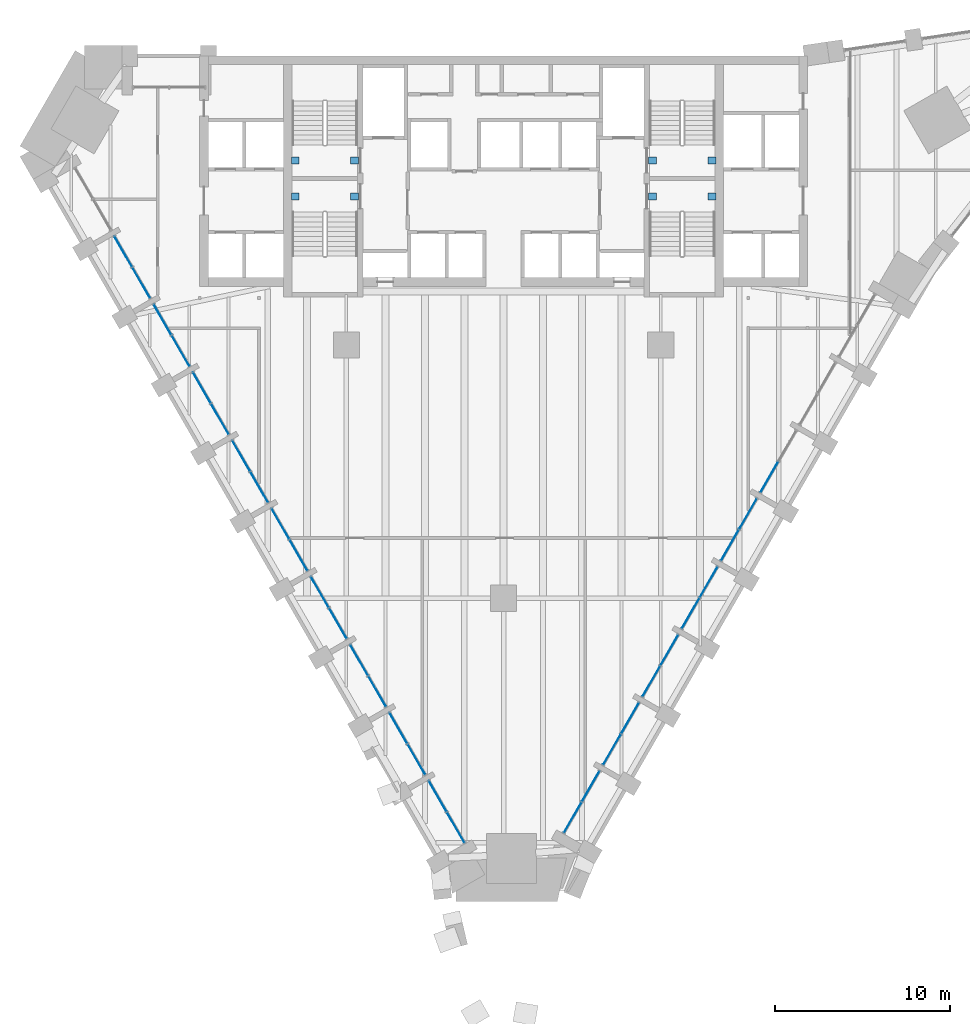
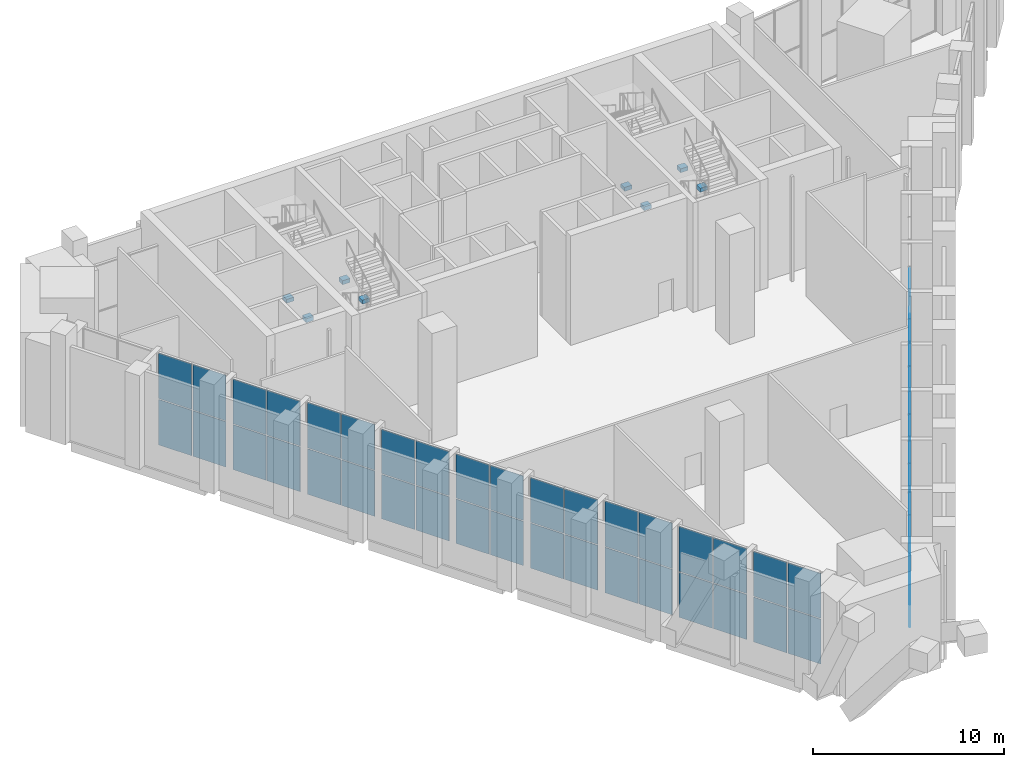
# One storey, part 9 of 17: 58 plates, 8 beams, 15 elements without a shape of their own.
"""IFC4 building model written with IfcOpenShell, lengths in metres."""

from ifc_helpers import new_model, si_unit, direction, frame, origin, origin_2d, place, context, subcontext, project, spatial, rectangle, extrude, material, layer, layer_set, material_profile, profile_set, type_object, element, aggregate, save


model = new_model("IFC4")

# Units and contexts
model_context = context("Model", 3, precision=1e-05, world=origin(), true_north=direction((0.0, 1.0)))
body_context = subcontext(model_context, "Body", "Model", "MODEL_VIEW")
ifc_project = project(units=[si_unit("LENGTHUNIT", "METRE"), si_unit("AREAUNIT", "SQUARE_METRE"), si_unit("VOLUMEUNIT", "CUBIC_METRE"), si_unit("PLANEANGLEUNIT", "RADIAN"), si_unit("MASSUNIT", "GRAM", prefix="KILO")], contexts=[model_context])

# Site, building, storey
site_placement = place(None, origin())
site = spatial("IfcSite", under=ifc_project, at=site_placement, CompositionType="ELEMENT")
building_placement = place(site_placement, origin())
building = spatial("IfcBuilding", under=site, at=building_placement, Name="Calabash Gate Tower", CompositionType="ELEMENT")
storey_placement = place(building_placement, frame((0.0, 0.0, 132.60009765625)))
storey = spatial("IfcBuildingStorey", under=building, at=storey_placement, Name="L31", CompositionType="ELEMENT", Elevation=132.60009765625)

# Beams
ifc_material_1 = material(Name="Concrete C60/75", Category="concrete")
ifc_material_profile = material_profile(ifc_material_1, rectangle(XDim=0.39990234375, YDim=0.25, at=origin_2d()))
ifc_profile_set = profile_set([ifc_material_profile], Name="Concrete C60/75")
beam_type = type_object("IfcBeamType", Name="Landing corbel RC 400x250 Concrete C60/75", PredefinedType="BEAM", material=ifc_profile_set)
for number, where, z_axis, x_axis, name in (
    (1, (-12.14990234375, 13.052978515625, 3.173828125), (1.0, 0.0, 0.0), (0.0, 1.0, 0.0), "Landing corbel ST1-L31/L2 west"),
    (2, (-8.300048828125, 13.052978515625, 3.173828125), (-1.0, 0.0, 0.0), (0.0, -1.0, 0.0), "Landing corbel ST1-L31/L2 east"),
    (3, (-12.14990234375, 11.0029296875, 3.173828125), (1.0, 0.0, 0.0), (0.0, 1.0, 0.0), "Landing corbel ST2-L31/L2 west"),
    (4, (-8.300048828125, 11.0029296875, 3.173828125), (-1.0, 0.0, 0.0), (0.0, -1.0, 0.0), "Landing corbel ST2-L31/L2 east"),
    (5, (8.300048828125, 13.052978515625, 3.173828125), (1.0, 0.0, 0.0), (0.0, 1.0, 0.0), "Landing corbel ST3-L31/L2 west"),
    (6, (12.14990234375, 13.052978515625, 3.173828125), (-1.0, 0.0, 0.0), (0.0, -1.0, 0.0), "Landing corbel ST3-L31/L2 east"),
    (7, (8.300048828125, 11.0029296875, 3.173828125), (1.0, 0.0, 0.0), (0.0, 1.0, 0.0), "Landing corbel ST4-L31/L2 west"),
    (8, (12.14990234375, 11.0029296875, 3.173828125), (-1.0, 0.0, 0.0), (0.0, -1.0, 0.0), "Landing corbel ST4-L31/L2 east"),
):
    element("IfcBeam", number, at=place(storey_placement, frame(where, z_axis=z_axis, x_axis=x_axis)), inside=storey, type_object=beam_type, Name=name, PredefinedType="BEAM", context=body_context, shape_type="SweptSolid", body=[
        extrude(rectangle(XDim=0.39990234375, YDim=0.25, at=origin_2d()), origin(), (0.0, 0.0, 1.0), 0.449951171875),
    ])

# Curtain wall, plates
ifc_material_2 = material(Name="Anodised aluminium frame, bronze finish, clear laminated low-emissivity glazing", Category="aluminium")
curtain_wall_type = type_object("IfcCurtainWallType", Name="Curtain wall CWS sky lobby wall", PredefinedType="NOTDEFINED", material=ifc_material_2)
curtain_wall_1_placement = place(storey_placement, origin())
curtain_wall_1 = element("IfcCurtainWall", 9, at=curtain_wall_1_placement, inside=storey, type_object=curtain_wall_type, Name="Curtain wall CWS L31 SW0.2", PredefinedType="NOTDEFINED")
ifc_material_3 = material(Name="Clear laminated low-emissivity glazing", Category="glass")
ifc_layer = layer(ifc_material_3, 0.035888671875)
ifc_layer_set = layer_set([ifc_layer], Name="Glass panel CWS 36")
plate_type = type_object("IfcPlateType", Name="Glass panel CWS 36", PredefinedType="CURTAIN_PANEL", material=ifc_layer_set)
plate_1_placement = place(storey_placement, frame((-21.771240234375, 7.843994140625, 0.06494140625), z_axis=(0.0, 0.0, 1.0), x_axis=(0.499999968652, -0.866025421884, 0.0)))
plate_1 = element("IfcPlate", 10, at=plate_1_placement, type_object=plate_type, Name="CWS panel 1.1", PredefinedType="CURTAIN_PANEL", context=body_context, shape_type="SweptSolid", body=[
    extrude(rectangle(XDim=2.00244140625, YDim=0.035888671875, at=origin_2d()), origin(), (0.0, 0.0, 1.0), 2.902587890625),
])
plate_2_placement = place(storey_placement, frame((-21.771240234375, 7.843994140625, 3.0322265625), z_axis=(0.0, 0.0, 1.0), x_axis=(0.499999968652, -0.866025421884, 0.0)))
plate_2 = element("IfcPlate", 11, at=plate_2_placement, type_object=plate_type, Name="CWS panel 1.2", PredefinedType="CURTAIN_PANEL", context=body_context, shape_type="SweptSolid", body=[
    extrude(rectangle(XDim=2.00244140625, YDim=0.035888671875, at=origin_2d()), origin(), (0.0, 0.0, 1.0), 2.902587890625),
])
plate_3_placement = place(storey_placement, frame((-20.737548828125, 6.053466796875, 0.06494140625), z_axis=(0.0, 0.0, 1.0), x_axis=(0.499999968652, -0.866025421884, 0.0)))
plate_3 = element("IfcPlate", 12, at=plate_3_placement, type_object=plate_type, Name="CWS panel 2.1", PredefinedType="CURTAIN_PANEL", context=body_context, shape_type="SweptSolid", body=[
    extrude(rectangle(XDim=2.00244140625, YDim=0.035888671875, at=origin_2d()), origin(), (0.0, 0.0, 1.0), 2.902587890625),
])
plate_4_placement = place(storey_placement, frame((-20.737548828125, 6.053466796875, 3.0322265625), z_axis=(0.0, 0.0, 1.0), x_axis=(0.499999968652, -0.866025421884, 0.0)))
plate_4 = element("IfcPlate", 13, at=plate_4_placement, type_object=plate_type, Name="CWS panel 2.2", PredefinedType="CURTAIN_PANEL", context=body_context, shape_type="SweptSolid", body=[
    extrude(rectangle(XDim=2.00244140625, YDim=0.035888671875, at=origin_2d()), origin(), (0.0, 0.0, 1.0), 2.902587890625),
])
aggregate(curtain_wall_1, [plate_1, plate_2, plate_3, plate_4])

curtain_wall_2_placement = place(storey_placement, origin())
curtain_wall_2 = element("IfcCurtainWall", 14, at=curtain_wall_2_placement, inside=storey, type_object=curtain_wall_type, Name="Curtain wall CWS L31 SW0.3", PredefinedType="NOTDEFINED")
plate_5_placement = place(storey_placement, frame((-19.521240234375, 3.94677734375, 0.06494140625), z_axis=(0.0, 0.0, 1.0), x_axis=(0.499999968652, -0.866025421884, 0.0)))
plate_5 = element("IfcPlate", 15, at=plate_5_placement, type_object=plate_type, Name="CWS panel 1.1", PredefinedType="CURTAIN_PANEL", context=body_context, shape_type="SweptSolid", body=[
    extrude(rectangle(XDim=2.00244140625, YDim=0.035888671875, at=origin_2d()), origin(), (0.0, 0.0, 1.0), 2.862548828125),
])
plate_6_placement = place(storey_placement, frame((-19.521240234375, 3.94677734375, 2.99267578125), z_axis=(0.0, 0.0, 1.0), x_axis=(0.499999968652, -0.866025421884, 0.0)))
plate_6 = element("IfcPlate", 16, at=plate_6_placement, type_object=plate_type, Name="CWS panel 1.2", PredefinedType="CURTAIN_PANEL", context=body_context, shape_type="SweptSolid", body=[
    extrude(rectangle(XDim=2.00244140625, YDim=0.035888671875, at=origin_2d()), origin(), (0.0, 0.0, 1.0), 2.862548828125),
])
plate_7_placement = place(storey_placement, frame((-18.487548828125, 2.156494140625, 0.06494140625), z_axis=(0.0, 0.0, 1.0), x_axis=(0.499999968652, -0.866025421884, 0.0)))
plate_7 = element("IfcPlate", 17, at=plate_7_placement, type_object=plate_type, Name="CWS panel 2.1", PredefinedType="CURTAIN_PANEL", context=body_context, shape_type="SweptSolid", body=[
    extrude(rectangle(XDim=2.00244140625, YDim=0.035888671875, at=origin_2d()), origin(), (0.0, 0.0, 1.0), 2.862548828125),
])
plate_8_placement = place(storey_placement, frame((-18.487548828125, 2.156494140625, 2.99267578125), z_axis=(0.0, 0.0, 1.0), x_axis=(0.499999968652, -0.866025421884, 0.0)))
plate_8 = element("IfcPlate", 18, at=plate_8_placement, type_object=plate_type, Name="CWS panel 2.2", PredefinedType="CURTAIN_PANEL", context=body_context, shape_type="SweptSolid", body=[
    extrude(rectangle(XDim=2.00244140625, YDim=0.035888671875, at=origin_2d()), origin(), (0.0, 0.0, 1.0), 2.862548828125),
])
aggregate(curtain_wall_2, [plate_5, plate_6, plate_7, plate_8])

curtain_wall_3_placement = place(storey_placement, origin())
curtain_wall_3 = element("IfcCurtainWall", 19, at=curtain_wall_3_placement, inside=storey, type_object=curtain_wall_type, Name="Curtain wall CWS L31 SW0.4", PredefinedType="NOTDEFINED")
plate_9_placement = place(storey_placement, frame((-17.271240234375, 0.0498046875, 0.06494140625), z_axis=(0.0, 0.0, 1.0), x_axis=(0.500000071751, -0.866025362359, 0.0)))
plate_9 = element("IfcPlate", 20, at=plate_9_placement, type_object=plate_type, Name="CWS panel 1.1", PredefinedType="CURTAIN_PANEL", context=body_context, shape_type="SweptSolid", body=[
    extrude(rectangle(XDim=2.00244140625, YDim=0.035888671875, at=origin_2d()), origin(), (0.0, 0.0, 1.0), 2.902587890625),
])
plate_10_placement = place(storey_placement, frame((-17.271240234375, 0.0498046875, 3.0322265625), z_axis=(0.0, 0.0, 1.0), x_axis=(0.500000071751, -0.866025362359, 0.0)))
plate_10 = element("IfcPlate", 21, at=plate_10_placement, type_object=plate_type, Name="CWS panel 1.2", PredefinedType="CURTAIN_PANEL", context=body_context, shape_type="SweptSolid", body=[
    extrude(rectangle(XDim=2.00244140625, YDim=0.035888671875, at=origin_2d()), origin(), (0.0, 0.0, 1.0), 2.902587890625),
])
plate_11_placement = place(storey_placement, frame((-16.237548828125, -1.74072265625, 0.06494140625), z_axis=(0.0, 0.0, 1.0), x_axis=(0.500000071751, -0.866025362359, 0.0)))
plate_11 = element("IfcPlate", 22, at=plate_11_placement, type_object=plate_type, Name="CWS panel 2.1", PredefinedType="CURTAIN_PANEL", context=body_context, shape_type="SweptSolid", body=[
    extrude(rectangle(XDim=2.00244140625, YDim=0.035888671875, at=origin_2d()), origin(), (0.0, 0.0, 1.0), 2.902587890625),
])
plate_12_placement = place(storey_placement, frame((-16.237548828125, -1.74072265625, 3.0322265625), z_axis=(0.0, 0.0, 1.0), x_axis=(0.500000071751, -0.866025362359, 0.0)))
plate_12 = element("IfcPlate", 23, at=plate_12_placement, type_object=plate_type, Name="CWS panel 2.2", PredefinedType="CURTAIN_PANEL", context=body_context, shape_type="SweptSolid", body=[
    extrude(rectangle(XDim=2.00244140625, YDim=0.035888671875, at=origin_2d()), origin(), (0.0, 0.0, 1.0), 2.902587890625),
])
aggregate(curtain_wall_3, [plate_9, plate_10, plate_11, plate_12])

curtain_wall_4_placement = place(storey_placement, origin())
curtain_wall_4 = element("IfcCurtainWall", 24, at=curtain_wall_4_placement, inside=storey, type_object=curtain_wall_type, Name="Curtain wall CWS L31 SW0.5", PredefinedType="NOTDEFINED")
plate_13_placement = place(storey_placement, frame((-15.021240234375, -3.847412109375, 0.06494140625), z_axis=(0.0, 0.0, 1.0), x_axis=(0.499999968652, -0.866025421884, 0.0)))
plate_13 = element("IfcPlate", 25, at=plate_13_placement, type_object=plate_type, Name="CWS panel 1.1", PredefinedType="CURTAIN_PANEL", context=body_context, shape_type="SweptSolid", body=[
    extrude(rectangle(XDim=2.00244140625, YDim=0.035888671875, at=origin_2d()), origin(), (0.0, 0.0, 1.0), 2.82958984375),
])
plate_14_placement = place(storey_placement, frame((-15.021240234375, -3.847412109375, 2.95947265625), z_axis=(0.0, 0.0, 1.0), x_axis=(0.499999968652, -0.866025421884, 0.0)))
plate_14 = element("IfcPlate", 26, at=plate_14_placement, type_object=plate_type, Name="CWS panel 1.2", PredefinedType="CURTAIN_PANEL", context=body_context, shape_type="SweptSolid", body=[
    extrude(rectangle(XDim=2.00244140625, YDim=0.035888671875, at=origin_2d()), origin(), (0.0, 0.0, 1.0), 2.82958984375),
])
plate_15_placement = place(storey_placement, frame((-13.987548828125, -5.637939453125, 0.06494140625), z_axis=(0.0, 0.0, 1.0), x_axis=(0.499999968652, -0.866025421884, 0.0)))
plate_15 = element("IfcPlate", 27, at=plate_15_placement, type_object=plate_type, Name="CWS panel 2.1", PredefinedType="CURTAIN_PANEL", context=body_context, shape_type="SweptSolid", body=[
    extrude(rectangle(XDim=2.00244140625, YDim=0.035888671875, at=origin_2d()), origin(), (0.0, 0.0, 1.0), 2.82958984375),
])
plate_16_placement = place(storey_placement, frame((-13.987548828125, -5.637939453125, 2.95947265625), z_axis=(0.0, 0.0, 1.0), x_axis=(0.499999968652, -0.866025421884, 0.0)))
plate_16 = element("IfcPlate", 28, at=plate_16_placement, type_object=plate_type, Name="CWS panel 2.2", PredefinedType="CURTAIN_PANEL", context=body_context, shape_type="SweptSolid", body=[
    extrude(rectangle(XDim=2.00244140625, YDim=0.035888671875, at=origin_2d()), origin(), (0.0, 0.0, 1.0), 2.82958984375),
])
aggregate(curtain_wall_4, [plate_13, plate_14, plate_15, plate_16])

curtain_wall_5_placement = place(storey_placement, origin())
curtain_wall_5 = element("IfcCurtainWall", 29, at=curtain_wall_5_placement, inside=storey, type_object=curtain_wall_type, Name="Curtain wall CWS L31 SW0.6", PredefinedType="NOTDEFINED")
plate_17_placement = place(storey_placement, frame((-12.771240234375, -7.744384765625, 0.06494140625), z_axis=(0.0, 0.0, 1.0), x_axis=(0.499999968652, -0.866025421884, 0.0)))
plate_17 = element("IfcPlate", 30, at=plate_17_placement, type_object=plate_type, Name="CWS panel 1.1", PredefinedType="CURTAIN_PANEL", context=body_context, shape_type="SweptSolid", body=[
    extrude(rectangle(XDim=2.00244140625, YDim=0.035888671875, at=origin_2d()), origin(), (0.0, 0.0, 1.0), 2.82958984375),
])
plate_18_placement = place(storey_placement, frame((-12.771240234375, -7.744384765625, 2.95947265625), z_axis=(0.0, 0.0, 1.0), x_axis=(0.499999968652, -0.866025421884, 0.0)))
plate_18 = element("IfcPlate", 31, at=plate_18_placement, type_object=plate_type, Name="CWS panel 1.2", PredefinedType="CURTAIN_PANEL", context=body_context, shape_type="SweptSolid", body=[
    extrude(rectangle(XDim=2.00244140625, YDim=0.035888671875, at=origin_2d()), origin(), (0.0, 0.0, 1.0), 2.82958984375),
])
plate_19_placement = place(storey_placement, frame((-11.737548828125, -9.534912109375, 0.06494140625), z_axis=(0.0, 0.0, 1.0), x_axis=(0.499999968652, -0.866025421884, 0.0)))
plate_19 = element("IfcPlate", 32, at=plate_19_placement, type_object=plate_type, Name="CWS panel 2.1", PredefinedType="CURTAIN_PANEL", context=body_context, shape_type="SweptSolid", body=[
    extrude(rectangle(XDim=2.00244140625, YDim=0.035888671875, at=origin_2d()), origin(), (0.0, 0.0, 1.0), 2.82958984375),
])
plate_20_placement = place(storey_placement, frame((-11.737548828125, -9.534912109375, 2.95947265625), z_axis=(0.0, 0.0, 1.0), x_axis=(0.499999968652, -0.866025421884, 0.0)))
plate_20 = element("IfcPlate", 33, at=plate_20_placement, type_object=plate_type, Name="CWS panel 2.2", PredefinedType="CURTAIN_PANEL", context=body_context, shape_type="SweptSolid", body=[
    extrude(rectangle(XDim=2.00244140625, YDim=0.035888671875, at=origin_2d()), origin(), (0.0, 0.0, 1.0), 2.82958984375),
])
aggregate(curtain_wall_5, [plate_17, plate_18, plate_19, plate_20])

curtain_wall_6_placement = place(storey_placement, origin())
curtain_wall_6 = element("IfcCurtainWall", 34, at=curtain_wall_6_placement, inside=storey, type_object=curtain_wall_type, Name="Curtain wall CWS L31 SW0.7", PredefinedType="NOTDEFINED")
plate_21_placement = place(storey_placement, frame((-10.521240234375, -11.6416015625, 0.06494140625), z_axis=(0.0, 0.0, 1.0), x_axis=(0.500000071751, -0.866025362359, 0.0)))
plate_21 = element("IfcPlate", 35, at=plate_21_placement, type_object=plate_type, Name="CWS panel 1.1", PredefinedType="CURTAIN_PANEL", context=body_context, shape_type="SweptSolid", body=[
    extrude(rectangle(XDim=2.00244140625, YDim=0.035888671875, at=origin_2d()), origin(), (0.0, 0.0, 1.0), 2.862548828125),
])
plate_22_placement = place(storey_placement, frame((-10.521240234375, -11.6416015625, 2.99267578125), z_axis=(0.0, 0.0, 1.0), x_axis=(0.500000071751, -0.866025362359, 0.0)))
plate_22 = element("IfcPlate", 36, at=plate_22_placement, type_object=plate_type, Name="CWS panel 1.2", PredefinedType="CURTAIN_PANEL", context=body_context, shape_type="SweptSolid", body=[
    extrude(rectangle(XDim=2.00244140625, YDim=0.035888671875, at=origin_2d()), origin(), (0.0, 0.0, 1.0), 2.862548828125),
])
plate_23_placement = place(storey_placement, frame((-9.487548828125, -13.43212890625, 0.06494140625), z_axis=(0.0, 0.0, 1.0), x_axis=(0.500000071751, -0.866025362359, 0.0)))
plate_23 = element("IfcPlate", 37, at=plate_23_placement, type_object=plate_type, Name="CWS panel 2.1", PredefinedType="CURTAIN_PANEL", context=body_context, shape_type="SweptSolid", body=[
    extrude(rectangle(XDim=2.00244140625, YDim=0.035888671875, at=origin_2d()), origin(), (0.0, 0.0, 1.0), 2.862548828125),
])
plate_24_placement = place(storey_placement, frame((-9.487548828125, -13.43212890625, 2.99267578125), z_axis=(0.0, 0.0, 1.0), x_axis=(0.500000071751, -0.866025362359, 0.0)))
plate_24 = element("IfcPlate", 38, at=plate_24_placement, type_object=plate_type, Name="CWS panel 2.2", PredefinedType="CURTAIN_PANEL", context=body_context, shape_type="SweptSolid", body=[
    extrude(rectangle(XDim=2.00244140625, YDim=0.035888671875, at=origin_2d()), origin(), (0.0, 0.0, 1.0), 2.862548828125),
])
aggregate(curtain_wall_6, [plate_21, plate_22, plate_23, plate_24])

curtain_wall_7_placement = place(storey_placement, origin())
curtain_wall_7 = element("IfcCurtainWall", 39, at=curtain_wall_7_placement, inside=storey, type_object=curtain_wall_type, Name="Curtain wall CWS L31 SW0.8", PredefinedType="NOTDEFINED")
plate_25_placement = place(storey_placement, frame((-8.271240234375, -15.53857421875, 0.06494140625), z_axis=(0.0, 0.0, 1.0), x_axis=(0.499999968652, -0.866025421884, 0.0)))
plate_25 = element("IfcPlate", 40, at=plate_25_placement, type_object=plate_type, Name="CWS panel 1.1", PredefinedType="CURTAIN_PANEL", context=body_context, shape_type="SweptSolid", body=[
    extrude(rectangle(XDim=2.00244140625, YDim=0.035888671875, at=origin_2d()), origin(), (0.0, 0.0, 1.0), 2.902587890625),
])
plate_26_placement = place(storey_placement, frame((-8.271240234375, -15.53857421875, 3.0322265625), z_axis=(0.0, 0.0, 1.0), x_axis=(0.499999968652, -0.866025421884, 0.0)))
plate_26 = element("IfcPlate", 41, at=plate_26_placement, type_object=plate_type, Name="CWS panel 1.2", PredefinedType="CURTAIN_PANEL", context=body_context, shape_type="SweptSolid", body=[
    extrude(rectangle(XDim=2.00244140625, YDim=0.035888671875, at=origin_2d()), origin(), (0.0, 0.0, 1.0), 2.902587890625),
])
plate_27_placement = place(storey_placement, frame((-7.237548828125, -17.3291015625, 0.06494140625), z_axis=(0.0, 0.0, 1.0), x_axis=(0.499999968652, -0.866025421884, 0.0)))
plate_27 = element("IfcPlate", 42, at=plate_27_placement, type_object=plate_type, Name="CWS panel 2.1", PredefinedType="CURTAIN_PANEL", context=body_context, shape_type="SweptSolid", body=[
    extrude(rectangle(XDim=2.00244140625, YDim=0.035888671875, at=origin_2d()), origin(), (0.0, 0.0, 1.0), 2.902587890625),
])
plate_28_placement = place(storey_placement, frame((-7.237548828125, -17.3291015625, 3.0322265625), z_axis=(0.0, 0.0, 1.0), x_axis=(0.499999968652, -0.866025421884, 0.0)))
plate_28 = element("IfcPlate", 43, at=plate_28_placement, type_object=plate_type, Name="CWS panel 2.2", PredefinedType="CURTAIN_PANEL", context=body_context, shape_type="SweptSolid", body=[
    extrude(rectangle(XDim=2.00244140625, YDim=0.035888671875, at=origin_2d()), origin(), (0.0, 0.0, 1.0), 2.902587890625),
])
aggregate(curtain_wall_7, [plate_25, plate_26, plate_27, plate_28])

curtain_wall_8_placement = place(storey_placement, origin())
curtain_wall_8 = element("IfcCurtainWall", 44, at=curtain_wall_8_placement, inside=storey, type_object=curtain_wall_type, Name="Curtain wall CWS L31 SW0.9", PredefinedType="NOTDEFINED")
plate_29_placement = place(storey_placement, frame((-6.021240234375, -19.435791015625, 0.06494140625), z_axis=(0.0, 0.0, 1.0), x_axis=(0.499999968652, -0.866025421884, 0.0)))
plate_29 = element("IfcPlate", 45, at=plate_29_placement, type_object=plate_type, Name="CWS panel 1.1", PredefinedType="CURTAIN_PANEL", context=body_context, shape_type="SweptSolid", body=[
    extrude(rectangle(XDim=2.00244140625, YDim=0.035888671875, at=origin_2d()), origin(), (0.0, 0.0, 1.0), 2.874267578125),
])
plate_30_placement = place(storey_placement, frame((-6.021240234375, -19.435791015625, 3.00439453125), z_axis=(0.0, 0.0, 1.0), x_axis=(0.499999968652, -0.866025421884, 0.0)))
plate_30 = element("IfcPlate", 46, at=plate_30_placement, type_object=plate_type, Name="CWS panel 1.2", PredefinedType="CURTAIN_PANEL", context=body_context, shape_type="SweptSolid", body=[
    extrude(rectangle(XDim=2.00244140625, YDim=0.035888671875, at=origin_2d()), origin(), (0.0, 0.0, 1.0), 2.874267578125),
])
plate_31_placement = place(storey_placement, frame((-4.987548828125, -21.226318359375, 0.06494140625), z_axis=(0.0, 0.0, 1.0), x_axis=(0.499999968652, -0.866025421884, 0.0)))
plate_31 = element("IfcPlate", 47, at=plate_31_placement, type_object=plate_type, Name="CWS panel 2.1", PredefinedType="CURTAIN_PANEL", context=body_context, shape_type="SweptSolid", body=[
    extrude(rectangle(XDim=2.00244140625, YDim=0.035888671875, at=origin_2d()), origin(), (0.0, 0.0, 1.0), 2.874267578125),
])
plate_32_placement = place(storey_placement, frame((-4.987548828125, -21.226318359375, 3.00439453125), z_axis=(0.0, 0.0, 1.0), x_axis=(0.499999968652, -0.866025421884, 0.0)))
plate_32 = element("IfcPlate", 48, at=plate_32_placement, type_object=plate_type, Name="CWS panel 2.2", PredefinedType="CURTAIN_PANEL", context=body_context, shape_type="SweptSolid", body=[
    extrude(rectangle(XDim=2.00244140625, YDim=0.035888671875, at=origin_2d()), origin(), (0.0, 0.0, 1.0), 2.874267578125),
])
aggregate(curtain_wall_8, [plate_29, plate_30, plate_31, plate_32])

curtain_wall_9_placement = place(storey_placement, origin())
curtain_wall_9 = element("IfcCurtainWall", 49, at=curtain_wall_9_placement, inside=storey, type_object=curtain_wall_type, Name="Curtain wall CWS L31 SW0.10", PredefinedType="NOTDEFINED")
plate_33_placement = place(storey_placement, frame((-3.771240234375, -23.3330078125, 0.06494140625), z_axis=(0.0, 0.0, 1.0), x_axis=(0.500000071751, -0.866025362359, 0.0)))
plate_33 = element("IfcPlate", 50, at=plate_33_placement, type_object=plate_type, Name="CWS panel 1.1", PredefinedType="CURTAIN_PANEL", context=body_context, shape_type="SweptSolid", body=[
    extrude(rectangle(XDim=2.00244140625, YDim=0.035888671875, at=origin_2d()), origin(), (0.0, 0.0, 1.0), 2.862548828125),
])
plate_34_placement = place(storey_placement, frame((-3.771240234375, -23.3330078125, 2.99267578125), z_axis=(0.0, 0.0, 1.0), x_axis=(0.500000071751, -0.866025362359, 0.0)))
plate_34 = element("IfcPlate", 51, at=plate_34_placement, type_object=plate_type, Name="CWS panel 1.2", PredefinedType="CURTAIN_PANEL", context=body_context, shape_type="SweptSolid", body=[
    extrude(rectangle(XDim=2.00244140625, YDim=0.035888671875, at=origin_2d()), origin(), (0.0, 0.0, 1.0), 2.862548828125),
])
plate_35_placement = place(storey_placement, frame((-2.737548828125, -25.12353515625, 0.06494140625), z_axis=(0.0, 0.0, 1.0), x_axis=(0.500000071751, -0.866025362359, 0.0)))
plate_35 = element("IfcPlate", 52, at=plate_35_placement, type_object=plate_type, Name="CWS panel 2.1", PredefinedType="CURTAIN_PANEL", context=body_context, shape_type="SweptSolid", body=[
    extrude(rectangle(XDim=2.00244140625, YDim=0.035888671875, at=origin_2d()), origin(), (0.0, 0.0, 1.0), 2.862548828125),
])
plate_36_placement = place(storey_placement, frame((-2.737548828125, -25.12353515625, 2.99267578125), z_axis=(0.0, 0.0, 1.0), x_axis=(0.500000071751, -0.866025362359, 0.0)))
plate_36 = element("IfcPlate", 53, at=plate_36_placement, type_object=plate_type, Name="CWS panel 2.2", PredefinedType="CURTAIN_PANEL", context=body_context, shape_type="SweptSolid", body=[
    extrude(rectangle(XDim=2.00244140625, YDim=0.035888671875, at=origin_2d()), origin(), (0.0, 0.0, 1.0), 2.862548828125),
])
aggregate(curtain_wall_9, [plate_33, plate_34, plate_35, plate_36])

curtain_wall_10_placement = place(storey_placement, origin())
curtain_wall_10 = element("IfcCurtainWall", 54, at=curtain_wall_10_placement, inside=storey, type_object=curtain_wall_type, Name="Curtain wall CWS L31 SE2.1", PredefinedType="NOTDEFINED")
plate_37_placement = place(storey_placement, frame((3.955810546875, -24.55322265625, 0.06494140625), z_axis=(0.0, 0.0, 1.0), x_axis=(0.499999968652, 0.866025421884, 0.0)))
plate_37 = element("IfcPlate", 55, at=plate_37_placement, type_object=plate_type, Name="CWS panel 1.1", PredefinedType="CURTAIN_PANEL", context=body_context, shape_type="SweptSolid", body=[
    extrude(rectangle(XDim=2.00244140625, YDim=0.035888671875, at=origin_2d()), origin(), (0.0, 0.0, 1.0), 2.82958984375),
])
plate_38_placement = place(storey_placement, frame((3.955810546875, -24.55322265625, 2.95947265625), z_axis=(0.0, 0.0, 1.0), x_axis=(0.499999968652, 0.866025421884, 0.0)))
plate_38 = element("IfcPlate", 56, at=plate_38_placement, type_object=plate_type, Name="CWS panel 1.2", PredefinedType="CURTAIN_PANEL", context=body_context, shape_type="SweptSolid", body=[
    extrude(rectangle(XDim=2.00244140625, YDim=0.035888671875, at=origin_2d()), origin(), (0.0, 0.0, 1.0), 2.82958984375),
])
plate_39_placement = place(storey_placement, frame((4.989501953125, -22.7626953125, 0.06494140625), z_axis=(0.0, 0.0, 1.0), x_axis=(0.499999968652, 0.866025421884, 0.0)))
plate_39 = element("IfcPlate", 57, at=plate_39_placement, type_object=plate_type, Name="CWS panel 2.1", PredefinedType="CURTAIN_PANEL", context=body_context, shape_type="SweptSolid", body=[
    extrude(rectangle(XDim=2.00244140625, YDim=0.035888671875, at=origin_2d()), origin(), (0.0, 0.0, 1.0), 2.82958984375),
])
plate_40_placement = place(storey_placement, frame((4.989501953125, -22.7626953125, 2.95947265625), z_axis=(0.0, 0.0, 1.0), x_axis=(0.499999968652, 0.866025421884, 0.0)))
plate_40 = element("IfcPlate", 58, at=plate_40_placement, type_object=plate_type, Name="CWS panel 2.2", PredefinedType="CURTAIN_PANEL", context=body_context, shape_type="SweptSolid", body=[
    extrude(rectangle(XDim=2.00244140625, YDim=0.035888671875, at=origin_2d()), origin(), (0.0, 0.0, 1.0), 2.82958984375),
])
aggregate(curtain_wall_10, [plate_37, plate_38, plate_39, plate_40])

curtain_wall_11_placement = place(storey_placement, origin())
curtain_wall_11 = element("IfcCurtainWall", 59, at=curtain_wall_11_placement, inside=storey, type_object=curtain_wall_type, Name="Curtain wall CWS L31 SE2.2", PredefinedType="NOTDEFINED")
plate_41_placement = place(storey_placement, frame((6.205810546875, -20.656005859375, 0.06494140625), z_axis=(0.0, 0.0, 1.0), x_axis=(0.500000071751, 0.866025362359, 0.0)))
plate_41 = element("IfcPlate", 60, at=plate_41_placement, type_object=plate_type, Name="CWS panel 1.1", PredefinedType="CURTAIN_PANEL", context=body_context, shape_type="SweptSolid", body=[
    extrude(rectangle(XDim=2.00244140625, YDim=0.035888671875, at=origin_2d()), origin(), (0.0, 0.0, 1.0), 2.902587890625),
])
plate_42_placement = place(storey_placement, frame((6.205810546875, -20.656005859375, 3.0322265625), z_axis=(0.0, 0.0, 1.0), x_axis=(0.500000071751, 0.866025362359, 0.0)))
plate_42 = element("IfcPlate", 61, at=plate_42_placement, type_object=plate_type, Name="CWS panel 1.2", PredefinedType="CURTAIN_PANEL", context=body_context, shape_type="SweptSolid", body=[
    extrude(rectangle(XDim=2.00244140625, YDim=0.035888671875, at=origin_2d()), origin(), (0.0, 0.0, 1.0), 2.902587890625),
])
plate_43_placement = place(storey_placement, frame((7.239501953125, -18.865478515625, 0.06494140625), z_axis=(0.0, 0.0, 1.0), x_axis=(0.500000071751, 0.866025362359, 0.0)))
plate_43 = element("IfcPlate", 62, at=plate_43_placement, type_object=plate_type, Name="CWS panel 2.1", PredefinedType="CURTAIN_PANEL", context=body_context, shape_type="SweptSolid", body=[
    extrude(rectangle(XDim=2.00244140625, YDim=0.035888671875, at=origin_2d()), origin(), (0.0, 0.0, 1.0), 2.902587890625),
])
plate_44_placement = place(storey_placement, frame((7.239501953125, -18.865478515625, 3.0322265625), z_axis=(0.0, 0.0, 1.0), x_axis=(0.500000071751, 0.866025362359, 0.0)))
plate_44 = element("IfcPlate", 63, at=plate_44_placement, type_object=plate_type, Name="CWS panel 2.2", PredefinedType="CURTAIN_PANEL", context=body_context, shape_type="SweptSolid", body=[
    extrude(rectangle(XDim=2.00244140625, YDim=0.035888671875, at=origin_2d()), origin(), (0.0, 0.0, 1.0), 2.902587890625),
])
aggregate(curtain_wall_11, [plate_41, plate_42, plate_43, plate_44])

curtain_wall_12_placement = place(storey_placement, origin())
curtain_wall_12 = element("IfcCurtainWall", 64, at=curtain_wall_12_placement, inside=storey, type_object=curtain_wall_type, Name="Curtain wall CWS L31 SE2.3", PredefinedType="NOTDEFINED")
plate_45_placement = place(storey_placement, frame((8.455810546875, -16.7587890625, 0.06494140625), z_axis=(0.0, 0.0, 1.0), x_axis=(0.499999968652, 0.866025421884, 0.0)))
plate_45 = element("IfcPlate", 65, at=plate_45_placement, type_object=plate_type, Name="CWS panel 1.1", PredefinedType="CURTAIN_PANEL", context=body_context, shape_type="SweptSolid", body=[
    extrude(rectangle(XDim=2.00244140625, YDim=0.035888671875, at=origin_2d()), origin(), (0.0, 0.0, 1.0), 2.902587890625),
])
plate_46_placement = place(storey_placement, frame((8.455810546875, -16.7587890625, 3.0322265625), z_axis=(0.0, 0.0, 1.0), x_axis=(0.499999968652, 0.866025421884, 0.0)))
plate_46 = element("IfcPlate", 66, at=plate_46_placement, type_object=plate_type, Name="CWS panel 1.2", PredefinedType="CURTAIN_PANEL", context=body_context, shape_type="SweptSolid", body=[
    extrude(rectangle(XDim=2.00244140625, YDim=0.035888671875, at=origin_2d()), origin(), (0.0, 0.0, 1.0), 2.902587890625),
])
plate_47_placement = place(storey_placement, frame((9.489501953125, -14.96826171875, 0.06494140625), z_axis=(0.0, 0.0, 1.0), x_axis=(0.499999968652, 0.866025421884, 0.0)))
plate_47 = element("IfcPlate", 67, at=plate_47_placement, type_object=plate_type, Name="CWS panel 2.1", PredefinedType="CURTAIN_PANEL", context=body_context, shape_type="SweptSolid", body=[
    extrude(rectangle(XDim=2.00244140625, YDim=0.035888671875, at=origin_2d()), origin(), (0.0, 0.0, 1.0), 2.902587890625),
])
plate_48_placement = place(storey_placement, frame((9.489501953125, -14.96826171875, 3.0322265625), z_axis=(0.0, 0.0, 1.0), x_axis=(0.499999968652, 0.866025421884, 0.0)))
plate_48 = element("IfcPlate", 68, at=plate_48_placement, type_object=plate_type, Name="CWS panel 2.2", PredefinedType="CURTAIN_PANEL", context=body_context, shape_type="SweptSolid", body=[
    extrude(rectangle(XDim=2.00244140625, YDim=0.035888671875, at=origin_2d()), origin(), (0.0, 0.0, 1.0), 2.902587890625),
])
aggregate(curtain_wall_12, [plate_45, plate_46, plate_47, plate_48])

curtain_wall_13_placement = place(storey_placement, origin())
curtain_wall_13 = element("IfcCurtainWall", 69, at=curtain_wall_13_placement, inside=storey, type_object=curtain_wall_type, Name="Curtain wall CWS L31 SE2.4", PredefinedType="NOTDEFINED")
plate_49_placement = place(storey_placement, frame((10.705810546875, -12.86181640625, 0.06494140625), z_axis=(0.0, 0.0, 1.0), x_axis=(0.499999968652, 0.866025421884, 0.0)))
plate_49 = element("IfcPlate", 70, at=plate_49_placement, type_object=plate_type, Name="CWS panel 1.1", PredefinedType="CURTAIN_PANEL", context=body_context, shape_type="SweptSolid", body=[
    extrude(rectangle(XDim=2.00244140625, YDim=0.035888671875, at=origin_2d()), origin(), (0.0, 0.0, 1.0), 2.862548828125),
])
plate_50_placement = place(storey_placement, frame((10.705810546875, -12.86181640625, 2.99267578125), z_axis=(0.0, 0.0, 1.0), x_axis=(0.499999968652, 0.866025421884, 0.0)))
plate_50 = element("IfcPlate", 71, at=plate_50_placement, type_object=plate_type, Name="CWS panel 1.2", PredefinedType="CURTAIN_PANEL", context=body_context, shape_type="SweptSolid", body=[
    extrude(rectangle(XDim=2.00244140625, YDim=0.035888671875, at=origin_2d()), origin(), (0.0, 0.0, 1.0), 2.862548828125),
])
plate_51_placement = place(storey_placement, frame((11.739501953125, -11.0712890625, 0.06494140625), z_axis=(0.0, 0.0, 1.0), x_axis=(0.499999968652, 0.866025421884, 0.0)))
plate_51 = element("IfcPlate", 72, at=plate_51_placement, type_object=plate_type, Name="CWS panel 2.1", PredefinedType="CURTAIN_PANEL", context=body_context, shape_type="SweptSolid", body=[
    extrude(rectangle(XDim=2.00244140625, YDim=0.035888671875, at=origin_2d()), origin(), (0.0, 0.0, 1.0), 2.862548828125),
])
plate_52_placement = place(storey_placement, frame((11.739501953125, -11.0712890625, 2.99267578125), z_axis=(0.0, 0.0, 1.0), x_axis=(0.499999968652, 0.866025421884, 0.0)))
plate_52 = element("IfcPlate", 73, at=plate_52_placement, type_object=plate_type, Name="CWS panel 2.2", PredefinedType="CURTAIN_PANEL", context=body_context, shape_type="SweptSolid", body=[
    extrude(rectangle(XDim=2.00244140625, YDim=0.035888671875, at=origin_2d()), origin(), (0.0, 0.0, 1.0), 2.862548828125),
])
aggregate(curtain_wall_13, [plate_49, plate_50, plate_51, plate_52])

curtain_wall_14_placement = place(storey_placement, origin())
curtain_wall_14 = element("IfcCurtainWall", 74, at=curtain_wall_14_placement, inside=storey, type_object=curtain_wall_type, Name="Curtain wall CWS L31 SE2.5", PredefinedType="NOTDEFINED")
plate_53_placement = place(storey_placement, frame((12.955810546875, -8.964599609375, 0.06494140625), z_axis=(0.0, 0.0, 1.0), x_axis=(0.500000071751, 0.866025362359, 0.0)))
plate_53 = element("IfcPlate", 75, at=plate_53_placement, type_object=plate_type, Name="CWS panel 1.1", PredefinedType="CURTAIN_PANEL", context=body_context, shape_type="SweptSolid", body=[
    extrude(rectangle(XDim=2.00244140625, YDim=0.035888671875, at=origin_2d()), origin(), (0.0, 0.0, 1.0), 2.79150390625),
])
plate_54_placement = place(storey_placement, frame((12.955810546875, -8.964599609375, 2.92138671875), z_axis=(0.0, 0.0, 1.0), x_axis=(0.500000071751, 0.866025362359, 0.0)))
plate_54 = element("IfcPlate", 76, at=plate_54_placement, type_object=plate_type, Name="CWS panel 1.2", PredefinedType="CURTAIN_PANEL", context=body_context, shape_type="SweptSolid", body=[
    extrude(rectangle(XDim=2.00244140625, YDim=0.035888671875, at=origin_2d()), origin(), (0.0, 0.0, 1.0), 2.79150390625),
])
plate_55_placement = place(storey_placement, frame((13.989501953125, -7.174072265625, 0.06494140625), z_axis=(0.0, 0.0, 1.0), x_axis=(0.500000071751, 0.866025362359, 0.0)))
plate_55 = element("IfcPlate", 77, at=plate_55_placement, type_object=plate_type, Name="CWS panel 2.1", PredefinedType="CURTAIN_PANEL", context=body_context, shape_type="SweptSolid", body=[
    extrude(rectangle(XDim=2.00244140625, YDim=0.035888671875, at=origin_2d()), origin(), (0.0, 0.0, 1.0), 2.79150390625),
])
plate_56_placement = place(storey_placement, frame((13.989501953125, -7.174072265625, 2.92138671875), z_axis=(0.0, 0.0, 1.0), x_axis=(0.500000071751, 0.866025362359, 0.0)))
plate_56 = element("IfcPlate", 78, at=plate_56_placement, type_object=plate_type, Name="CWS panel 2.2", PredefinedType="CURTAIN_PANEL", context=body_context, shape_type="SweptSolid", body=[
    extrude(rectangle(XDim=2.00244140625, YDim=0.035888671875, at=origin_2d()), origin(), (0.0, 0.0, 1.0), 2.79150390625),
])
aggregate(curtain_wall_14, [plate_53, plate_54, plate_55, plate_56])

curtain_wall_15_placement = place(storey_placement, origin())
curtain_wall_15 = element("IfcCurtainWall", 79, at=curtain_wall_15_placement, inside=storey, type_object=curtain_wall_type, Name="Curtain wall CWS L31 SE2.6", PredefinedType="NOTDEFINED")
plate_57_placement = place(storey_placement, frame((15.205810546875, -5.067626953125, 0.06494140625), z_axis=(0.0, 0.0, 1.0), x_axis=(0.499999968652, 0.866025421884, 0.0)))
plate_57 = element("IfcPlate", 80, at=plate_57_placement, type_object=plate_type, Name="CWS panel 1.1", PredefinedType="CURTAIN_PANEL", context=body_context, shape_type="SweptSolid", body=[
    extrude(rectangle(XDim=2.00244140625, YDim=0.035888671875, at=origin_2d()), origin(), (0.0, 0.0, 1.0), 2.902587890625),
])
plate_58_placement = place(storey_placement, frame((15.205810546875, -5.067626953125, 3.0322265625), z_axis=(0.0, 0.0, 1.0), x_axis=(0.499999968652, 0.866025421884, 0.0)))
plate_58 = element("IfcPlate", 81, at=plate_58_placement, type_object=plate_type, Name="CWS panel 1.2", PredefinedType="CURTAIN_PANEL", context=body_context, shape_type="SweptSolid", body=[
    extrude(rectangle(XDim=2.00244140625, YDim=0.035888671875, at=origin_2d()), origin(), (0.0, 0.0, 1.0), 2.902587890625),
])
aggregate(curtain_wall_15, [plate_57, plate_58])

save(model, "model.ifc")
